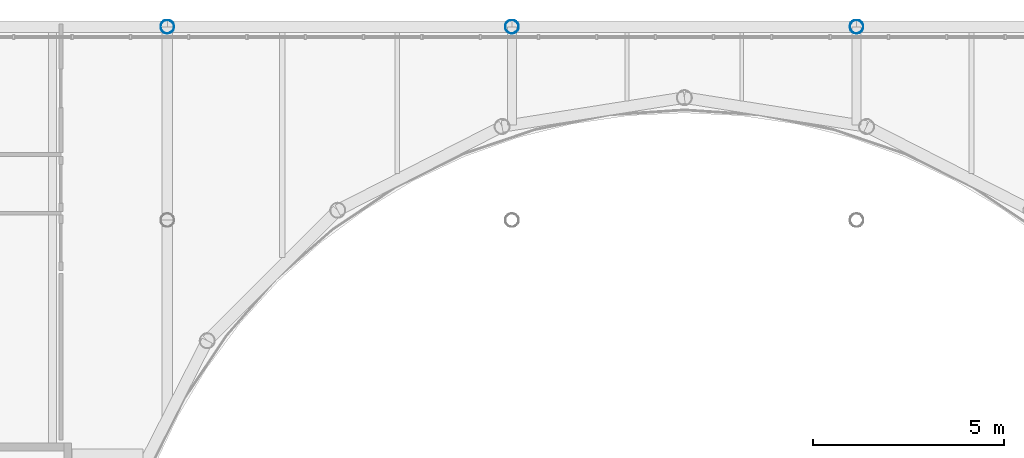
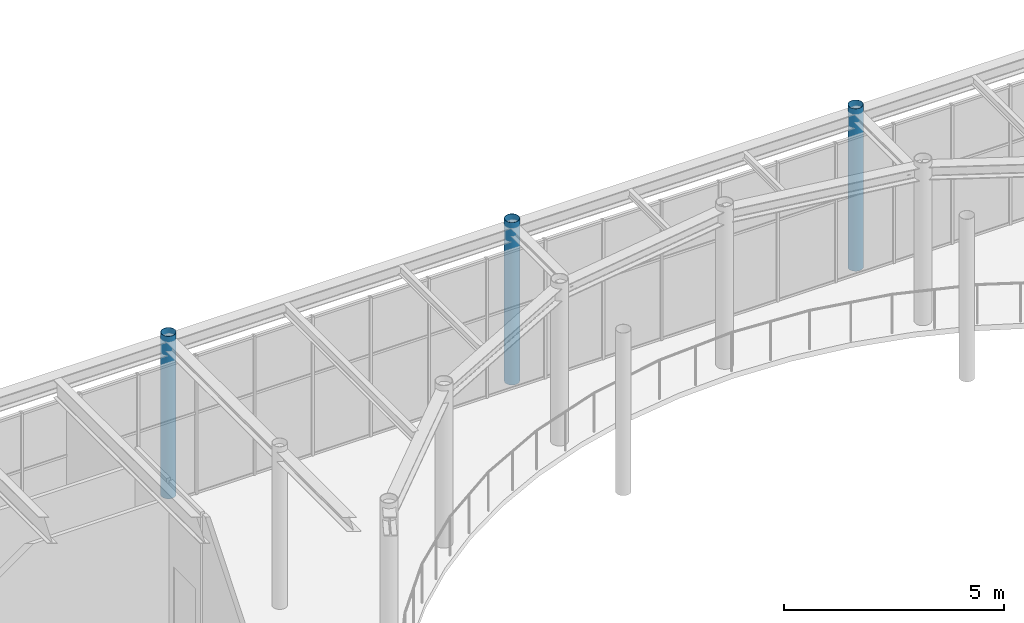
# One storey, part 12 of 111: 3 columns.
"""IFC4 building model written with IfcOpenShell, lengths in metres."""

from ifc_helpers import new_model, si_unit, direction, frame, origin, origin_2d, place, context, subcontext, project, spatial, hollow_circle, extrude, material, material_profile, profile_set, type_object, element, save


model = new_model("IFC4")

# Units and contexts
model_context = context("Model", 3, precision=1e-05, world=origin(), true_north=direction((0.0, 1.0)))
body_context = subcontext(model_context, "Body", "Model", "MODEL_VIEW")
ifc_project = project(units=[si_unit("LENGTHUNIT", "METRE"), si_unit("AREAUNIT", "SQUARE_METRE"), si_unit("VOLUMEUNIT", "CUBIC_METRE"), si_unit("PLANEANGLEUNIT", "RADIAN"), si_unit("MASSUNIT", "GRAM", prefix="KILO")], contexts=[model_context])

# Site, building, storey
site_placement = place(None, origin())
site = spatial("IfcSite", under=ifc_project, at=site_placement, CompositionType="ELEMENT")
building_placement = place(site_placement, origin())
building = spatial("IfcBuilding", under=site, at=building_placement, Name="Kallimachos Central Library", CompositionType="ELEMENT")
storey_placement = place(building_placement, frame((0.0, 0.0, 14.39990234375)))
storey = spatial("IfcBuildingStorey", under=building, at=storey_placement, Name="L03", CompositionType="ELEMENT", Elevation=14.39990234375)

# Columns
ifc_material = material(Name="Steel S355J2H", Category="steel")
ifc_material_profile = material_profile(ifc_material, hollow_circle(Radius=0.177734375, WallThickness=0.008056640625, at=origin_2d()), Name="CHS 355.6x8")
ifc_profile_set = profile_set([ifc_material_profile], Name="Steel S355J2H")
column_type = type_object("IfcColumnType", Name="CHS 355.6x8 column", PredefinedType="COLUMN", material=ifc_profile_set)
for number, where, z_axis, x_axis, name in (
    (1, (74.5, 121.64990234375, 0.0), (0.0, 0.0, 1.0), (1.0, 0.0, 0.0), "V1-COL-L03-035"),
    (2, (83.5, 121.64990234375, 0.0), (0.0, 0.0, 1.0), (1.0, 0.0, 0.0), "V1-COL-L03-036"),
    (3, (92.5, 121.64990234375, 0.0), (0.0, 0.0, 1.0), (1.0, 0.0, 0.0), "V1-COL-L03-037"),
):
    element("IfcColumn", number, at=place(storey_placement, frame(where, z_axis=z_axis, x_axis=x_axis)), inside=storey, type_object=column_type, Name=name, PredefinedType="COLUMN", context=body_context, shape_type="SweptSolid", body=[
        extrude(hollow_circle(Radius=0.177734375, WallThickness=0.008056640625, at=origin_2d()), origin(), (0.0, 0.0, 1.0), 4.5),
    ])

save(model, "model.ifc")
